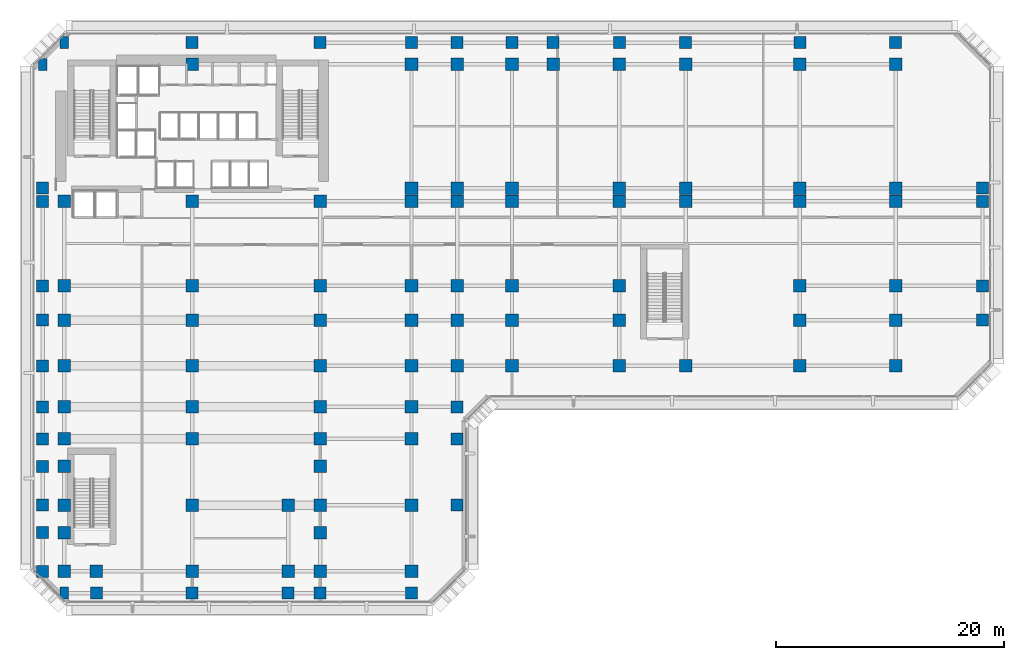
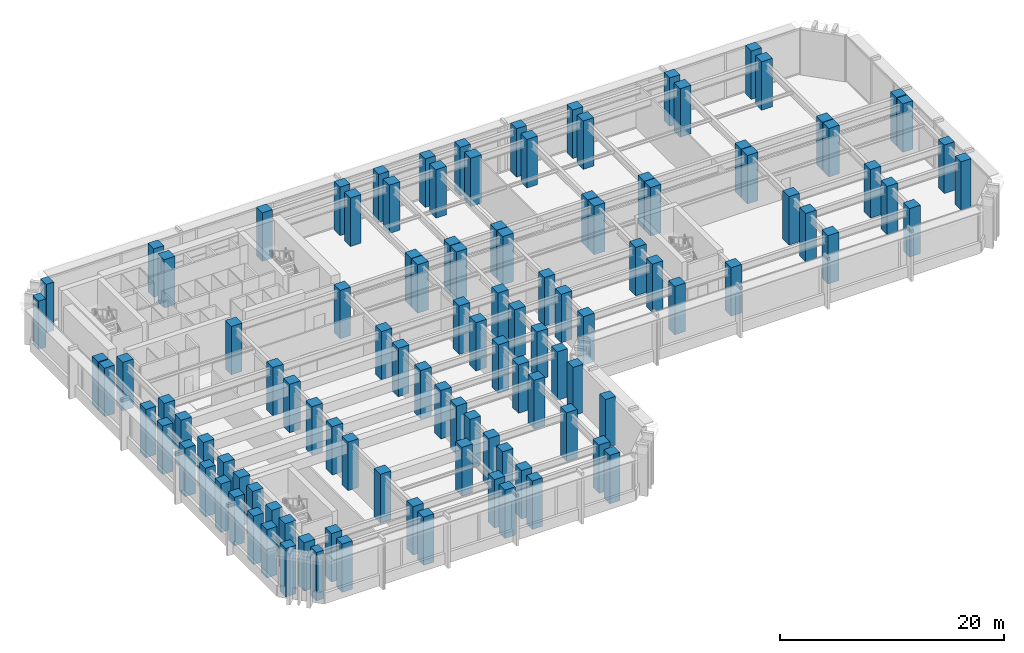
# One storey, part 1 of 20: 113 columns.
"""IFC4 building model written with IfcOpenShell, lengths in metres."""

from ifc_helpers import new_model, si_unit, direction, frame, origin, origin_2d, place, context, subcontext, project, spatial, rectangle, extrude, material, material_profile, profile_set, type_object, element, save


model = new_model("IFC4")

# Units and contexts
model_context = context("Model", 3, precision=1e-05, world=origin(), true_north=direction((0.0, 1.0)))
body_context = subcontext(model_context, "Body", "Model", "MODEL_VIEW")
ifc_project = project(units=[si_unit("LENGTHUNIT", "METRE"), si_unit("AREAUNIT", "SQUARE_METRE"), si_unit("VOLUMEUNIT", "CUBIC_METRE"), si_unit("PLANEANGLEUNIT", "RADIAN"), si_unit("MASSUNIT", "GRAM", prefix="KILO")], contexts=[model_context])

# Site, building, storey
site_placement = place(None, origin())
site = spatial("IfcSite", under=ifc_project, at=site_placement, CompositionType="ELEMENT")
building_placement = place(site_placement, origin())
building = spatial("IfcBuilding", under=site, at=building_placement, Name="Kefirva Bronze Tower", CompositionType="ELEMENT")
storey_placement = place(building_placement, frame((0.0, 0.0, 5.93994140625)))
storey = spatial("IfcBuildingStorey", under=building, at=storey_placement, Name="L01", CompositionType="ELEMENT", Elevation=5.93994140625)

# Columns
ifc_material = material(Name="Concrete C60/75", Category="concrete")
ifc_material_profile_1 = material_profile(ifc_material, rectangle(XDim=1.050048828125, YDim=1.050048828125, at=origin_2d()), Name="RC 1050x1050")
ifc_profile_set_1 = profile_set([ifc_material_profile_1], Name="Concrete C60/75")
column_type_1 = type_object("IfcColumnType", Name="RC Column 1050x1050 Ext", PredefinedType="COLUMN", material=ifc_profile_set_1)
for number, where, z_axis, x_axis, name in (
    (1, (-1.10009765625, 0.800048828125, 0.0), (0.0, 0.0, 1.0), (1.0, 0.0, 0.0), "L01 Column C-11_008"),
    (2, (-1.10009765625, 4.199951171875, 0.0), (0.0, 0.0, 1.0), (1.0, 0.0, 0.0), "L01 Column C-11_042"),
    (3, (-1.10009765625, 6.60009765625, 0.0), (0.0, 0.0, 1.0), (1.0, 0.0, 0.0), "L01 Column C-11_066"),
    (4, (-1.10009765625, 10.0, 0.0), (0.0, 0.0, 1.0), (1.0, 0.0, 0.0), "L01 Column C-11_100"),
    (5, (-1.10009765625, 12.39990234375, 0.0), (0.0, 0.0, 1.0), (1.0, 0.0, 0.0), "L01 Column C-11_124"),
    (6, (-1.10009765625, 15.199951171875, 0.0), (0.0, 0.0, 1.0), (1.0, 0.0, 0.0), "L01 Column C-11_152"),
    (7, (-1.10009765625, 18.800048828125, 0.0), (0.0, 0.0, 1.0), (1.0, 0.0, 0.0), "L01 Column C-11_188"),
    (8, (-1.10009765625, 22.800048828125, 0.0), (0.0, 0.0, 1.0), (1.0, 0.0, 0.0), "L01 Column C-11_228"),
    (9, (-1.10009765625, 25.800048828125, 0.0), (0.0, 0.0, 1.0), (1.0, 0.0, 0.0), "L01 Column C-11_258"),
    (10, (-1.10009765625, 33.199951171875, 0.0), (0.0, 0.0, 1.0), (1.0, 0.0, 0.0), "L01 Column C-11_332"),
    (11, (-1.10009765625, 34.35009765625, 0.0), (0.0, 0.0, 1.0), (1.0, 0.0, 0.0), "L01 Column C-11_344"),
    (12, (3.60009765625, -1.10009765625, 0.0), (0.0, 0.0, 1.0), (1.0, 0.0, 0.0), "L01 Column C036_-11"),
    (13, (12.0, -1.10009765625, 0.0), (0.0, 0.0, 1.0), (1.0, 0.0, 0.0), "L01 Column C120_-11"),
    (14, (12.0, 47.10009765625, 0.0), (0.0, 0.0, 1.0), (1.0, 0.0, 0.0), "L01 Column C120_471"),
    (15, (20.39990234375, -1.10009765625, 0.0), (0.0, 0.0, 1.0), (1.0, 0.0, 0.0), "L01 Column C204_-11"),
    (16, (23.199951171875, -1.10009765625, 0.0), (0.0, 0.0, 1.0), (1.0, 0.0, 0.0), "L01 Column C232_-11"),
    (17, (23.199951171875, 47.10009765625, 0.0), (0.0, 0.0, 1.0), (1.0, 0.0, 0.0), "L01 Column C232_471"),
    (18, (31.199951171875, -1.10009765625, 0.0), (0.0, 0.0, 1.0), (1.0, 0.0, 0.0), "L01 Column C312_-11"),
    (19, (31.199951171875, 47.10009765625, 0.0), (0.0, 0.0, 1.0), (1.0, 0.0, 0.0), "L01 Column C312_471"),
    (20, (35.199951171875, 6.60009765625, 0.0), (0.0, 0.0, 1.0), (1.0, 0.0, 0.0), "L01 Column C352_066"),
    (21, (35.199951171875, 12.39990234375, 0.0), (0.0, 0.0, 1.0), (1.0, 0.0, 0.0), "L01 Column C352_124"),
    (22, (35.199951171875, 15.199951171875, 0.0), (0.0, 0.0, 1.0), (1.0, 0.0, 0.0), "L01 Column C352_152"),
    (23, (35.199951171875, 47.10009765625, 0.0), (0.0, 0.0, 1.0), (1.0, 0.0, 0.0), "L01 Column C352_471"),
    (24, (40.0, 47.10009765625, 0.0), (0.0, 0.0, 1.0), (1.0, 0.0, 0.0), "L01 Column C400_471"),
    (25, (43.60009765625, 47.10009765625, 0.0), (0.0, 0.0, 1.0), (1.0, 0.0, 0.0), "L01 Column C436_471"),
    (26, (49.39990234375, 47.10009765625, 0.0), (0.0, 0.0, 1.0), (1.0, 0.0, 0.0), "L01 Column C494_471"),
    (27, (55.199951171875, 47.10009765625, 0.0), (0.0, 0.0, 1.0), (1.0, 0.0, 0.0), "L01 Column C552_471"),
    (28, (65.199951171875, 47.10009765625, 0.0), (0.0, 0.0, 1.0), (1.0, 0.0, 0.0), "L01 Column C652_471"),
    (29, (73.60009765625, 47.10009765625, 0.0), (0.0, 0.0, 1.0), (1.0, 0.0, 0.0), "L01 Column C736_471"),
    (30, (81.199951171875, 22.800048828125, 0.0), (0.0, 0.0, 1.0), (1.0, 0.0, 0.0), "L01 Column C812_228"),
    (31, (81.199951171875, 25.800048828125, 0.0), (0.0, 0.0, 1.0), (1.0, 0.0, 0.0), "L01 Column C812_258"),
    (32, (81.199951171875, 33.199951171875, 0.0), (0.0, 0.0, 1.0), (1.0, 0.0, 0.0), "L01 Column C812_332"),
    (33, (81.199951171875, 34.35009765625, 0.0), (0.0, 0.0, 1.0), (1.0, 0.0, 0.0), "L01 Column C812_344"),
):
    element("IfcColumn", number, at=place(storey_placement, frame(where, z_axis=z_axis, x_axis=x_axis)), inside=storey, type_object=column_type_1, Name=name, PredefinedType="COLUMN", context=body_context, shape_type="SweptSolid", body=[
        extrude(rectangle(XDim=1.050048828125, YDim=1.050048828125, at=origin_2d()), origin(), (0.0, 0.0, 1.0), 5.280029296875),
    ])
ifc_material_profile_2 = material_profile(ifc_material, rectangle(XDim=1.10009765625, YDim=1.10009765625, at=origin_2d()), Name="RC 1100x1100")
ifc_profile_set_2 = profile_set([ifc_material_profile_2], Name="Concrete C60/75")
column_type_2 = type_object("IfcColumnType", Name="RC Column 1100x1100 Int", PredefinedType="COLUMN", material=ifc_profile_set_2)
for number, where, z_axis, x_axis, name in (
    (34, (0.800048828125, 0.800048828125, 0.0), (0.0, 0.0, 1.0), (1.0, 0.0, 0.0), "L01 Column C008_008"),
    (35, (0.800048828125, 4.199951171875, 0.0), (0.0, 0.0, 1.0), (1.0, 0.0, 0.0), "L01 Column C008_042"),
    (36, (0.800048828125, 6.60009765625, 0.0), (0.0, 0.0, 1.0), (1.0, 0.0, 0.0), "L01 Column C008_066"),
    (37, (0.800048828125, 10.0, 0.0), (0.0, 0.0, 1.0), (1.0, 0.0, 0.0), "L01 Column C008_100"),
    (38, (0.800048828125, 12.39990234375, 0.0), (0.0, 0.0, 1.0), (1.0, 0.0, 0.0), "L01 Column C008_124"),
    (39, (0.800048828125, 15.199951171875, 0.0), (0.0, 0.0, 1.0), (1.0, 0.0, 0.0), "L01 Column C008_152"),
    (40, (0.800048828125, 18.800048828125, 0.0), (0.0, 0.0, 1.0), (1.0, 0.0, 0.0), "L01 Column C008_188"),
    (41, (0.800048828125, 22.800048828125, 0.0), (0.0, 0.0, 1.0), (1.0, 0.0, 0.0), "L01 Column C008_228"),
    (42, (0.800048828125, 25.800048828125, 0.0), (0.0, 0.0, 1.0), (1.0, 0.0, 0.0), "L01 Column C008_258"),
    (43, (0.800048828125, 33.199951171875, 0.0), (0.0, 0.0, 1.0), (1.0, 0.0, 0.0), "L01 Column C008_332"),
    (44, (3.60009765625, 0.800048828125, 0.0), (0.0, 0.0, 1.0), (1.0, 0.0, 0.0), "L01 Column C036_008"),
    (45, (12.0, 0.800048828125, 0.0), (0.0, 0.0, 1.0), (1.0, 0.0, 0.0), "L01 Column C120_008"),
    (46, (12.0, 6.60009765625, 0.0), (0.0, 0.0, 1.0), (1.0, 0.0, 0.0), "L01 Column C120_066"),
    (47, (12.0, 12.39990234375, 0.0), (0.0, 0.0, 1.0), (1.0, 0.0, 0.0), "L01 Column C120_124"),
    (48, (12.0, 15.199951171875, 0.0), (0.0, 0.0, 1.0), (1.0, 0.0, 0.0), "L01 Column C120_152"),
    (49, (12.0, 18.800048828125, 0.0), (0.0, 0.0, 1.0), (1.0, 0.0, 0.0), "L01 Column C120_188"),
    (50, (12.0, 22.800048828125, 0.0), (0.0, 0.0, 1.0), (1.0, 0.0, 0.0), "L01 Column C120_228"),
    (51, (12.0, 25.800048828125, 0.0), (0.0, 0.0, 1.0), (1.0, 0.0, 0.0), "L01 Column C120_258"),
    (52, (12.0, 33.199951171875, 0.0), (0.0, 0.0, 1.0), (1.0, 0.0, 0.0), "L01 Column C120_332"),
    (53, (12.0, 45.199951171875, 0.0), (0.0, 0.0, 1.0), (1.0, 0.0, 0.0), "L01 Column C120_452"),
    (54, (20.39990234375, 0.800048828125, 0.0), (0.0, 0.0, 1.0), (1.0, 0.0, 0.0), "L01 Column C204_008"),
    (55, (20.39990234375, 6.60009765625, 0.0), (0.0, 0.0, 1.0), (1.0, 0.0, 0.0), "L01 Column C204_066"),
    (56, (23.199951171875, 0.800048828125, 0.0), (0.0, 0.0, 1.0), (1.0, 0.0, 0.0), "L01 Column C232_008"),
    (57, (23.199951171875, 4.199951171875, 0.0), (0.0, 0.0, 1.0), (1.0, 0.0, 0.0), "L01 Column C232_042"),
    (58, (23.199951171875, 6.60009765625, 0.0), (0.0, 0.0, 1.0), (1.0, 0.0, 0.0), "L01 Column C232_066"),
    (59, (23.199951171875, 10.0, 0.0), (0.0, 0.0, 1.0), (1.0, 0.0, 0.0), "L01 Column C232_100"),
    (60, (23.199951171875, 12.39990234375, 0.0), (0.0, 0.0, 1.0), (1.0, 0.0, 0.0), "L01 Column C232_124"),
    (61, (23.199951171875, 15.199951171875, 0.0), (0.0, 0.0, 1.0), (1.0, 0.0, 0.0), "L01 Column C232_152"),
    (62, (23.199951171875, 18.800048828125, 0.0), (0.0, 0.0, 1.0), (1.0, 0.0, 0.0), "L01 Column C232_188"),
    (63, (23.199951171875, 22.800048828125, 0.0), (0.0, 0.0, 1.0), (1.0, 0.0, 0.0), "L01 Column C232_228"),
    (64, (23.199951171875, 25.800048828125, 0.0), (0.0, 0.0, 1.0), (1.0, 0.0, 0.0), "L01 Column C232_258"),
    (65, (23.199951171875, 33.199951171875, 0.0), (0.0, 0.0, 1.0), (1.0, 0.0, 0.0), "L01 Column C232_332"),
    (66, (31.199951171875, 0.800048828125, 0.0), (0.0, 0.0, 1.0), (1.0, 0.0, 0.0), "L01 Column C312_008"),
    (67, (31.199951171875, 6.60009765625, 0.0), (0.0, 0.0, 1.0), (1.0, 0.0, 0.0), "L01 Column C312_066"),
    (68, (31.199951171875, 12.39990234375, 0.0), (0.0, 0.0, 1.0), (1.0, 0.0, 0.0), "L01 Column C312_124"),
    (69, (31.199951171875, 15.199951171875, 0.0), (0.0, 0.0, 1.0), (1.0, 0.0, 0.0), "L01 Column C312_152"),
    (70, (31.199951171875, 18.800048828125, 0.0), (0.0, 0.0, 1.0), (1.0, 0.0, 0.0), "L01 Column C312_188"),
    (71, (31.199951171875, 22.800048828125, 0.0), (0.0, 0.0, 1.0), (1.0, 0.0, 0.0), "L01 Column C312_228"),
    (72, (31.199951171875, 25.800048828125, 0.0), (0.0, 0.0, 1.0), (1.0, 0.0, 0.0), "L01 Column C312_258"),
    (73, (31.199951171875, 33.199951171875, 0.0), (0.0, 0.0, 1.0), (1.0, 0.0, 0.0), "L01 Column C312_332"),
    (74, (31.199951171875, 34.35009765625, 0.0), (0.0, 0.0, 1.0), (1.0, 0.0, 0.0), "L01 Column C312_344"),
    (75, (31.199951171875, 45.199951171875, 0.0), (0.0, 0.0, 1.0), (1.0, 0.0, 0.0), "L01 Column C312_452"),
    (76, (35.199951171875, 18.800048828125, 0.0), (0.0, 0.0, 1.0), (1.0, 0.0, 0.0), "L01 Column C352_188"),
    (77, (35.199951171875, 22.800048828125, 0.0), (0.0, 0.0, 1.0), (1.0, 0.0, 0.0), "L01 Column C352_228"),
    (78, (35.199951171875, 25.800048828125, 0.0), (0.0, 0.0, 1.0), (1.0, 0.0, 0.0), "L01 Column C352_258"),
    (79, (35.199951171875, 33.199951171875, 0.0), (0.0, 0.0, 1.0), (1.0, 0.0, 0.0), "L01 Column C352_332"),
    (80, (35.199951171875, 34.35009765625, 0.0), (0.0, 0.0, 1.0), (1.0, 0.0, 0.0), "L01 Column C352_344"),
    (81, (35.199951171875, 45.199951171875, 0.0), (0.0, 0.0, 1.0), (1.0, 0.0, 0.0), "L01 Column C352_452"),
    (82, (40.0, 18.800048828125, 0.0), (0.0, 0.0, 1.0), (1.0, 0.0, 0.0), "L01 Column C400_188"),
    (83, (40.0, 22.800048828125, 0.0), (0.0, 0.0, 1.0), (1.0, 0.0, 0.0), "L01 Column C400_228"),
    (84, (40.0, 25.800048828125, 0.0), (0.0, 0.0, 1.0), (1.0, 0.0, 0.0), "L01 Column C400_258"),
    (85, (40.0, 33.199951171875, 0.0), (0.0, 0.0, 1.0), (1.0, 0.0, 0.0), "L01 Column C400_332"),
    (86, (40.0, 34.35009765625, 0.0), (0.0, 0.0, 1.0), (1.0, 0.0, 0.0), "L01 Column C400_344"),
    (87, (40.0, 45.199951171875, 0.0), (0.0, 0.0, 1.0), (1.0, 0.0, 0.0), "L01 Column C400_452"),
    (88, (43.60009765625, 45.199951171875, 0.0), (0.0, 0.0, 1.0), (1.0, 0.0, 0.0), "L01 Column C436_452"),
    (89, (49.39990234375, 18.800048828125, 0.0), (0.0, 0.0, 1.0), (1.0, 0.0, 0.0), "L01 Column C494_188"),
    (90, (49.39990234375, 22.800048828125, 0.0), (0.0, 0.0, 1.0), (1.0, 0.0, 0.0), "L01 Column C494_228"),
    (91, (49.39990234375, 25.800048828125, 0.0), (0.0, 0.0, 1.0), (1.0, 0.0, 0.0), "L01 Column C494_258"),
    (92, (49.39990234375, 33.199951171875, 0.0), (0.0, 0.0, 1.0), (1.0, 0.0, 0.0), "L01 Column C494_332"),
    (93, (49.39990234375, 34.35009765625, 0.0), (0.0, 0.0, 1.0), (1.0, 0.0, 0.0), "L01 Column C494_344"),
    (94, (49.39990234375, 45.199951171875, 0.0), (0.0, 0.0, 1.0), (1.0, 0.0, 0.0), "L01 Column C494_452"),
    (95, (55.199951171875, 18.800048828125, 0.0), (0.0, 0.0, 1.0), (1.0, 0.0, 0.0), "L01 Column C552_188"),
    (96, (55.199951171875, 33.199951171875, 0.0), (0.0, 0.0, 1.0), (1.0, 0.0, 0.0), "L01 Column C552_332"),
    (97, (55.199951171875, 34.35009765625, 0.0), (0.0, 0.0, 1.0), (1.0, 0.0, 0.0), "L01 Column C552_344"),
    (98, (55.199951171875, 45.199951171875, 0.0), (0.0, 0.0, 1.0), (1.0, 0.0, 0.0), "L01 Column C552_452"),
    (99, (65.199951171875, 18.800048828125, 0.0), (0.0, 0.0, 1.0), (1.0, 0.0, 0.0), "L01 Column C652_188"),
    (100, (65.199951171875, 22.800048828125, 0.0), (0.0, 0.0, 1.0), (1.0, 0.0, 0.0), "L01 Column C652_228"),
    (101, (65.199951171875, 25.800048828125, 0.0), (0.0, 0.0, 1.0), (1.0, 0.0, 0.0), "L01 Column C652_258"),
    (102, (65.199951171875, 33.199951171875, 0.0), (0.0, 0.0, 1.0), (1.0, 0.0, 0.0), "L01 Column C652_332"),
    (103, (65.199951171875, 34.35009765625, 0.0), (0.0, 0.0, 1.0), (1.0, 0.0, 0.0), "L01 Column C652_344"),
    (104, (65.199951171875, 45.199951171875, 0.0), (0.0, 0.0, 1.0), (1.0, 0.0, 0.0), "L01 Column C652_452"),
    (105, (73.60009765625, 18.800048828125, 0.0), (0.0, 0.0, 1.0), (1.0, 0.0, 0.0), "L01 Column C736_188"),
    (106, (73.60009765625, 22.800048828125, 0.0), (0.0, 0.0, 1.0), (1.0, 0.0, 0.0), "L01 Column C736_228"),
    (107, (73.60009765625, 25.800048828125, 0.0), (0.0, 0.0, 1.0), (1.0, 0.0, 0.0), "L01 Column C736_258"),
    (108, (73.60009765625, 33.199951171875, 0.0), (0.0, 0.0, 1.0), (1.0, 0.0, 0.0), "L01 Column C736_332"),
    (109, (73.60009765625, 34.35009765625, 0.0), (0.0, 0.0, 1.0), (1.0, 0.0, 0.0), "L01 Column C736_344"),
    (110, (73.60009765625, 45.199951171875, 0.0), (0.0, 0.0, 1.0), (1.0, 0.0, 0.0), "L01 Column C736_452"),
):
    element("IfcColumn", number, at=place(storey_placement, frame(where, z_axis=z_axis, x_axis=x_axis)), inside=storey, type_object=column_type_2, Name=name, PredefinedType="COLUMN", context=body_context, shape_type="SweptSolid", body=[
        extrude(rectangle(XDim=1.10009765625, YDim=1.10009765625, at=origin_2d()), origin(), (0.0, 0.0, 1.0), 5.280029296875),
    ])
ifc_material_profile_3 = material_profile(ifc_material, rectangle(XDim=0.760009765625, YDim=1.0400390625, at=origin_2d()), Name="RC 760x1040")
ifc_profile_set_3 = profile_set([ifc_material_profile_3], Name="Concrete C60/75")
column_type_3 = type_object("IfcColumnType", Name="RC Corner Buttress Pilaster 1040x760", PredefinedType="PILASTER", material=ifc_profile_set_3)
for number, where, z_axis, x_axis, name in (
    (111, (-1.10009765625, 45.199951171875, 0.0), (0.0, 0.0, 1.0), (1.0, 0.0, 0.0), "L01 Column C-11_452"),
    (112, (0.800048828125, -1.10009765625, 0.0), (0.0, 0.0, 1.0), (1.0, 0.0, 0.0), "L01 Column C008_-11"),
    (113, (0.800048828125, 47.10009765625, 0.0), (0.0, 0.0, 1.0), (1.0, 0.0, 0.0), "L01 Column C008_471"),
):
    element("IfcColumn", number, at=place(storey_placement, frame(where, z_axis=z_axis, x_axis=x_axis)), inside=storey, type_object=column_type_3, Name=name, PredefinedType="PILASTER", context=body_context, shape_type="SweptSolid", body=[
        extrude(rectangle(XDim=0.760009765625, YDim=1.0400390625, at=origin_2d()), origin(), (0.0, 0.0, 1.0), 5.280029296875),
    ])

save(model, "model.ifc")
